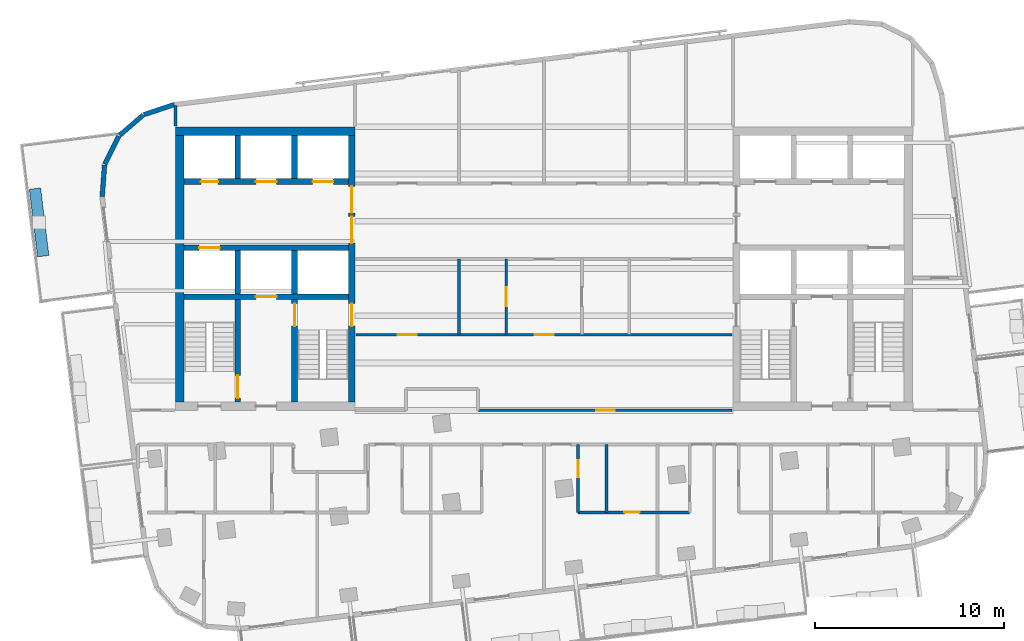
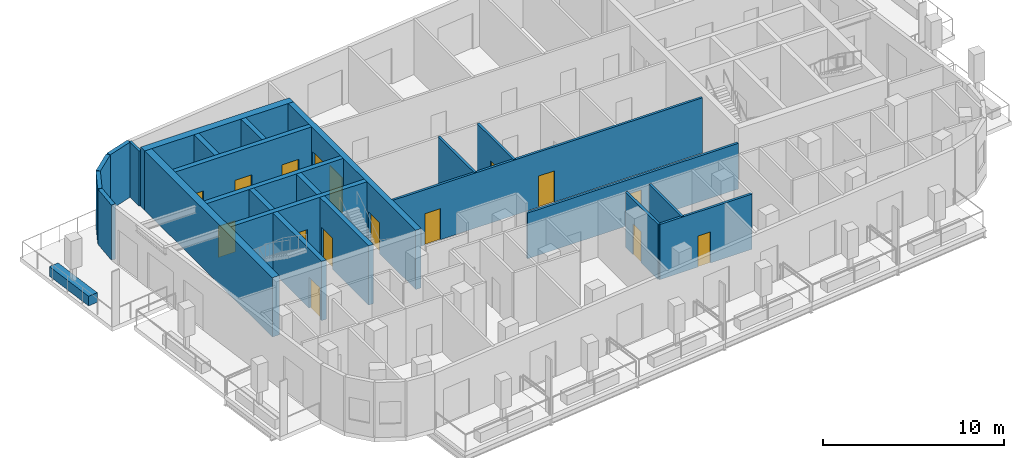
# One storey, part 4 of 11: 25 walls, 16 doors, 16 openings.
"""IFC4 building model written with IfcOpenShell, lengths in metres."""

from ifc_helpers import new_model, si_unit, direction, frame, frame_2d, origin, place, context, subcontext, project, spatial, rectangle, extrude, material, layer, layer_set, type_object, element, fill, save


model = new_model("IFC4")

# Units and contexts
model_context = context("Model", 3, precision=1e-05, world=origin(), true_north=direction((0.0, 1.0)))
body_context = subcontext(model_context, "Body", "Model", "MODEL_VIEW")
ifc_project = project(units=[si_unit("LENGTHUNIT", "METRE"), si_unit("AREAUNIT", "SQUARE_METRE"), si_unit("VOLUMEUNIT", "CUBIC_METRE"), si_unit("PLANEANGLEUNIT", "RADIAN"), si_unit("MASSUNIT", "GRAM", prefix="KILO")], contexts=[model_context])

# Site, building, storey
site_placement = place(None, origin())
site = spatial("IfcSite", under=ifc_project, at=site_placement, CompositionType="ELEMENT")
building_placement = place(site_placement, origin())
building = spatial("IfcBuilding", under=site, at=building_placement, Name="Torana Hotel and Residences", CompositionType="ELEMENT")
storey_placement = place(building_placement, frame((0.0, 0.0, 326.60009765625)))
storey = spatial("IfcBuildingStorey", under=building, at=storey_placement, Name="L86", CompositionType="ELEMENT", Elevation=326.60009765625)

# Wall, openings, doors
ifc_material_1 = material(Name="Concrete C60/75", Category="concrete")
ifc_layer_1 = layer(ifc_material_1, 0.300048828125)
ifc_layer_set_1 = layer_set([ifc_layer_1], Name="CORE WALL 300 C60/75")
wall_type_1 = type_object("IfcWallType", Name="CORE WALL 300 C60/75", PredefinedType="SHEAR", material=ifc_layer_set_1)
wall_1_placement = place(storey_placement, frame((-19.050048828125, -2.89990234375, 0.0), z_axis=(0.0, 0.0, 1.0), x_axis=(1.0, 0.0, 0.0)))
wall_1 = element("IfcWall", 1, at=wall_1_placement, inside=storey, type_object=wall_type_1, Name="Core wall W row-N", PredefinedType="SHEAR", context=body_context, shape_type="SweptSolid", body=[
    extrude(rectangle(XDim=8.699951171875, YDim=0.300048828125, at=frame_2d((4.35009765625, 0.0))), origin(), (0.0, 0.0, 1.0), 4.0),
])
opening_1_placement = place(wall_1_placement, frame((6.800048828125, 0.0, 0.0)))
opening_1 = element("IfcOpeningElement", 2, at=opening_1_placement, cuts=wall_1, Name="Opening LD", PredefinedType="OPENING", context=body_context, shape_type="SweptSolid", body=[
    extrude(rectangle(XDim=1.10009765625, YDim=2.10009765625, at=frame_2d((0.550048828125, 1.050048828125))), frame((0.0, 0.159912109375, 0.0), z_axis=(0.0, -1.0, 0.0), x_axis=(1.0, 0.0, 0.0)), (0.0, 0.0, 1.0), 0.320068359375),
])
opening_2_placement = place(wall_1_placement, frame((3.800048828125, 0.0, 0.0)))
opening_2 = element("IfcOpeningElement", 3, at=opening_2_placement, cuts=wall_1, Name="Opening LD", PredefinedType="OPENING", context=body_context, shape_type="SweptSolid", body=[
    extrude(rectangle(XDim=1.10009765625, YDim=2.10009765625, at=frame_2d((0.550048828125, 1.050048828125))), frame((0.0, 0.159912109375, 0.0), z_axis=(0.0, -1.0, 0.0), x_axis=(1.0, 0.0, 0.0)), (0.0, 0.0, 1.0), 0.320068359375),
])
opening_3_placement = place(wall_1_placement, frame((0.89990234375, 0.0, 0.0)))
opening_3 = element("IfcOpeningElement", 4, at=opening_3_placement, cuts=wall_1, Name="Opening L86-06", PredefinedType="OPENING", context=body_context, shape_type="SweptSolid", body=[
    extrude(rectangle(XDim=0.89990234375, YDim=2.10009765625, at=frame_2d((0.449951171875, 1.050048828125))), frame((0.0, 0.159912109375, 0.0), z_axis=(0.0, -1.0, 0.0), x_axis=(1.0, 0.0, 0.0)), (0.0, 0.0, 1.0), 0.320068359375),
])
ifc_material_2 = material(Name="Stainless steel 316", Category="steel")
door_type_1 = type_object("IfcDoorType", Name="LIFT LANDING DOOR LD 1100x2100", OperationType="DOUBLE_DOOR_SLIDING", PredefinedType="USERDEFINED", material=ifc_material_2)
door_1_placement = place(opening_1_placement, origin())
door_1 = element("IfcDoor", 5, at=door_1_placement, inside=storey, type_object=door_type_1, Name="Lift landing door H1 L86", ObjectType="LIFT LANDING DOOR", OperationType="DOUBLE_DOOR_SLIDING", OverallHeight=2.10009765625, OverallWidth=1.10009765625, PredefinedType="USERDEFINED", context=body_context, shape_type="SweptSolid", body=[
    extrude(rectangle(XDim=1.10009765625, YDim=2.10009765625, at=frame_2d((0.550048828125, 1.050048828125))), frame((0.0, 0.02490234375, 0.0), z_axis=(0.0, -1.0, 0.0), x_axis=(1.0, 0.0, 0.0)), (0.0, 0.0, 1.0), 0.050048828125),
])
fill(opening_1, door_1)
door_2_placement = place(opening_2_placement, origin())
door_2 = element("IfcDoor", 6, at=door_2_placement, inside=storey, type_object=door_type_1, Name="Lift landing door H2 L86", ObjectType="LIFT LANDING DOOR", OperationType="DOUBLE_DOOR_SLIDING", OverallHeight=2.10009765625, OverallWidth=1.10009765625, PredefinedType="USERDEFINED", context=body_context, shape_type="SweptSolid", body=[
    extrude(rectangle(XDim=1.10009765625, YDim=2.10009765625, at=frame_2d((0.550048828125, 1.050048828125))), frame((0.0, 0.02490234375, 0.0), z_axis=(0.0, -1.0, 0.0), x_axis=(1.0, 0.0, 0.0)), (0.0, 0.0, 1.0), 0.050048828125),
])
fill(opening_2, door_2)
ifc_material_3 = material(Name="Steel S235", Category="steel")
door_type_2 = type_object("IfcDoorType", Name="RISER ACCESS DOOR D5 900x2100", OperationType="SINGLE_SWING_LEFT", PredefinedType="DOOR", material=ifc_material_3)
door_3_placement = place(opening_3_placement, origin())
door_3 = element("IfcDoor", 7, at=door_3_placement, inside=storey, type_object=door_type_2, Name="N2 door L86", OperationType="SINGLE_SWING_RIGHT", OverallHeight=2.10009765625, OverallWidth=0.89990234375, PredefinedType="DOOR", context=body_context, shape_type="SweptSolid", body=[
    extrude(rectangle(XDim=0.89990234375, YDim=2.10009765625, at=frame_2d((0.449951171875, 1.050048828125))), frame((0.0, 0.02490234375, 0.0), z_axis=(0.0, -1.0, 0.0), x_axis=(1.0, 0.0, 0.0)), (0.0, 0.0, 1.0), 0.050048828125),
])
fill(opening_3, door_3)

# Wall, opening, door
wall_2_placement = place(storey_placement, frame((-19.050048828125, -6.39990234375, 0.0), z_axis=(0.0, 0.0, 1.0), x_axis=(1.0, 0.0, 0.0)))
wall_2 = element("IfcWall", 8, at=wall_2_placement, inside=storey, type_object=wall_type_1, Name="Core wall W row-S", PredefinedType="SHEAR", context=body_context, shape_type="SweptSolid", body=[
    extrude(rectangle(XDim=8.699951171875, YDim=0.300048828125, at=frame_2d((4.35009765625, 0.0))), origin(), (0.0, 0.0, 1.0), 4.0),
])
opening_4_placement = place(wall_2_placement, frame((0.800048828125, 0.0, 0.0)))
opening_4 = element("IfcOpeningElement", 9, at=opening_4_placement, cuts=wall_2, Name="Opening LD", PredefinedType="OPENING", context=body_context, shape_type="SweptSolid", body=[
    extrude(rectangle(XDim=1.10009765625, YDim=2.10009765625, at=frame_2d((0.550048828125, 1.050048828125))), frame((0.0, 0.159912109375, 0.0), z_axis=(0.0, -1.0, 0.0), x_axis=(1.0, 0.0, 0.0)), (0.0, 0.0, 1.0), 0.320068359375),
])
door_4_placement = place(opening_4_placement, origin())
door_4 = element("IfcDoor", 10, at=door_4_placement, inside=storey, type_object=door_type_1, Name="Lift landing door SV1 L86", ObjectType="LIFT LANDING DOOR", OperationType="DOUBLE_DOOR_SLIDING", OverallHeight=2.10009765625, OverallWidth=1.10009765625, PredefinedType="USERDEFINED", context=body_context, shape_type="SweptSolid", body=[
    extrude(rectangle(XDim=1.10009765625, YDim=2.10009765625, at=frame_2d((0.550048828125, 1.050048828125))), frame((0.0, 0.02490234375, 0.0), z_axis=(0.0, -1.0, 0.0), x_axis=(1.0, 0.0, 0.0)), (0.0, 0.0, 1.0), 0.050048828125),
])
fill(opening_4, door_4)

wall_3_placement = place(storey_placement, frame((-19.050048828125, -9.0, 0.0), z_axis=(0.0, 0.0, 1.0), x_axis=(1.0, 0.0, 0.0)))
wall_3 = element("IfcWall", 11, at=wall_3_placement, inside=storey, type_object=wall_type_1, Name="Core wall W band", PredefinedType="SHEAR", context=body_context, shape_type="SweptSolid", body=[
    extrude(rectangle(XDim=8.699951171875, YDim=0.300048828125, at=frame_2d((4.35009765625, 0.0))), origin(), (0.0, 0.0, 1.0), 4.0),
])
opening_5_placement = place(wall_3_placement, frame((3.800048828125, 0.0, 0.0)))
opening_5 = element("IfcOpeningElement", 12, at=opening_5_placement, cuts=wall_3, Name="Opening LD", PredefinedType="OPENING", context=body_context, shape_type="SweptSolid", body=[
    extrude(rectangle(XDim=1.10009765625, YDim=2.10009765625, at=frame_2d((0.550048828125, 1.050048828125))), frame((0.0, 0.159912109375, 0.0), z_axis=(0.0, -1.0, 0.0), x_axis=(1.0, 0.0, 0.0)), (0.0, 0.0, 1.0), 0.320068359375),
])
door_5_placement = place(opening_5_placement, origin())
door_5 = element("IfcDoor", 13, at=door_5_placement, inside=storey, type_object=door_type_1, Name="Lift landing door FF1 L86", ObjectType="LIFT LANDING DOOR", OperationType="DOUBLE_DOOR_SLIDING", OverallHeight=2.10009765625, OverallWidth=1.10009765625, PredefinedType="USERDEFINED", context=body_context, shape_type="SweptSolid", body=[
    extrude(rectangle(XDim=1.10009765625, YDim=2.10009765625, at=frame_2d((0.550048828125, 1.050048828125))), frame((0.0, 0.02490234375, 0.0), z_axis=(0.0, -1.0, 0.0), x_axis=(1.0, 0.0, 0.0)), (0.0, 0.0, 1.0), 0.050048828125),
])
fill(opening_5, door_5)

# Walls
for number, where, z_axis, x_axis, name in (
    (14, (-13.199951171875, -2.75, 0.0), (0.0, 0.0, 1.0), (0.0, 1.0, 0.0), "Core wall W x3.05-N"),
    (15, (-13.199951171875, -8.85009765625, 0.0), (0.0, 0.0, 1.0), (0.0, 1.0, 0.0), "Core wall W x3.05-S"),
):
    element("IfcWall", number, at=place(storey_placement, frame(where, z_axis=z_axis, x_axis=x_axis)), inside=storey, type_object=wall_type_1, Name=name, PredefinedType="SHEAR", context=body_context, shape_type="SweptSolid", body=[
        extrude(rectangle(XDim=2.300048828125, YDim=0.300048828125, at=frame_2d((1.14990234375, 0.0))), origin(), (0.0, 0.0, 1.0), 4.0),
    ])

# Wall, opening, door
wall_4_placement = place(storey_placement, frame((-13.199951171875, -14.550048828125, 0.0), z_axis=(0.0, 0.0, 1.0), x_axis=(0.0, 1.0, 0.0)))
wall_4 = element("IfcWall", 16, at=wall_4_placement, inside=storey, type_object=wall_type_1, Name="Core wall W x3.05-band", PredefinedType="SHEAR", context=body_context, shape_type="SweptSolid", body=[
    extrude(rectangle(XDim=5.400146484375, YDim=0.300048828125, at=frame_2d((2.7001953125, 0.0))), origin(), (0.0, 0.0, 1.0), 4.0),
])
opening_6_placement = place(wall_4_placement, frame((4.0, 0.0, 0.0)))
opening_6 = element("IfcOpeningElement", 17, at=opening_6_placement, cuts=wall_4, Name="Opening L86-07", PredefinedType="OPENING", context=body_context, shape_type="SweptSolid", body=[
    extrude(rectangle(XDim=1.199951171875, YDim=2.10009765625, at=frame_2d((0.60009765625, 1.050048828125))), frame((0.0, 0.159912109375, 0.0), z_axis=(0.0, -1.0, 0.0), x_axis=(1.0, 0.0, 0.0)), (0.0, 0.0, 1.0), 0.320068359375),
])
ifc_material_4 = material(Name="Steel S235", Category="steel")
door_type_3 = type_object("IfcDoorType", Name="STAIR FIRE DOOR D3 1200x2100", OperationType="SINGLE_SWING_LEFT", PredefinedType="DOOR", material=ifc_material_4)
door_6_placement = place(opening_6_placement, frame((0.60009765625, 0.0, 0.0), z_axis=(0.0, 0.0, 1.0), x_axis=(-1.0, 0.0, 0.0)))
door_6 = element("IfcDoor", 18, at=door_6_placement, inside=storey, type_object=door_type_3, Name="Stair-A-lobby door L86", OperationType="SINGLE_SWING_RIGHT", OverallHeight=2.10009765625, OverallWidth=1.199951171875, PredefinedType="DOOR", context=body_context, shape_type="SweptSolid", body=[
    extrude(rectangle(XDim=1.199951171875, YDim=2.10009765625, at=frame_2d((0.0, 1.050048828125))), frame((0.0, -0.02490234375, 0.0), z_axis=(0.0, 1.0, 0.0), x_axis=(-1.0, 0.0, 0.0)), (0.0, 0.0, 1.0), 0.050048828125),
])
fill(opening_6, door_6)

# Walls
for number, where, z_axis, x_axis, name in (
    (19, (-16.199951171875, -2.75, 0.0), (0.0, 0.0, 1.0), (0.0, 1.0, 0.0), "Core wall W x6.05-N"),
    (20, (-16.199951171875, -8.85009765625, 0.0), (0.0, 0.0, 1.0), (0.0, 1.0, 0.0), "Core wall W x6.05-S"),
):
    element("IfcWall", number, at=place(storey_placement, frame(where, z_axis=z_axis, x_axis=x_axis)), inside=storey, type_object=wall_type_1, Name=name, PredefinedType="SHEAR", context=body_context, shape_type="SweptSolid", body=[
        extrude(rectangle(XDim=2.300048828125, YDim=0.300048828125, at=frame_2d((1.14990234375, 0.0))), origin(), (0.0, 0.0, 1.0), 4.0),
    ])

# Wall, opening, door
wall_5_placement = place(storey_placement, frame((-16.199951171875, -14.550048828125, 0.0), z_axis=(0.0, 0.0, 1.0), x_axis=(0.0, 1.0, 0.0)))
wall_5 = element("IfcWall", 21, at=wall_5_placement, inside=storey, type_object=wall_type_1, Name="Core wall W x6.05-band", PredefinedType="SHEAR", context=body_context, shape_type="SweptSolid", body=[
    extrude(rectangle(XDim=5.400146484375, YDim=0.300048828125, at=frame_2d((2.7001953125, 0.0))), origin(), (0.0, 0.0, 1.0), 4.0),
])
opening_7_placement = place(wall_5_placement, frame((0.199951171875, 0.0, 0.0)))
opening_7 = element("IfcOpeningElement", 22, at=opening_7_placement, cuts=wall_5, Name="Opening L86-08", PredefinedType="OPENING", context=body_context, shape_type="SweptSolid", body=[
    extrude(rectangle(XDim=1.199951171875, YDim=2.10009765625, at=frame_2d((0.60009765625, 1.050048828125))), frame((0.0, 0.159912109375, 0.0), z_axis=(0.0, -1.0, 0.0), x_axis=(1.0, 0.0, 0.0)), (0.0, 0.0, 1.0), 0.320068359375),
])
door_7_placement = place(opening_7_placement, origin())
door_7 = element("IfcDoor", 23, at=door_7_placement, inside=storey, type_object=door_type_3, Name="Stair-B-lobby door L86", OperationType="SINGLE_SWING_RIGHT", OverallHeight=2.10009765625, OverallWidth=1.199951171875, PredefinedType="DOOR", context=body_context, shape_type="SweptSolid", body=[
    extrude(rectangle(XDim=1.199951171875, YDim=2.10009765625, at=frame_2d((0.60009765625, 1.050048828125))), frame((0.0, 0.02490234375, 0.0), z_axis=(0.0, -1.0, 0.0), x_axis=(1.0, 0.0, 0.0)), (0.0, 0.0, 1.0), 0.050048828125),
])
fill(opening_7, door_7)

# Wall, openings, doors
ifc_material_5 = material(Name="Concrete C60/75", Category="concrete")
ifc_layer_2 = layer(ifc_material_5, 0.35009765625)
ifc_layer_set_2 = layer_set([ifc_layer_2], Name="CORE WALL 350 C60/75")
wall_type_2 = type_object("IfcWallType", Name="CORE WALL 350 C60/75", PredefinedType="SHEAR", material=ifc_layer_set_2)
wall_6_placement = place(storey_placement, frame((-10.175048828125, -14.550048828125, 0.0), z_axis=(0.0, 0.0, 1.0), x_axis=(0.0, 1.0, 0.0)))
wall_6 = element("IfcWall", 24, at=wall_6_placement, inside=storey, type_object=wall_type_2, Name="Core wall W arch", PredefinedType="SHEAR", context=body_context, shape_type="SweptSolid", body=[
    extrude(rectangle(XDim=14.10009765625, YDim=0.35009765625, at=frame_2d((7.050048828125, 0.0))), origin(), (0.0, 0.0, 1.0), 4.0),
])
opening_8_placement = place(wall_6_placement, frame((8.39990234375, 0.0, 0.0)))
opening_8 = element("IfcOpeningElement", 25, at=opening_8_placement, cuts=wall_6, Name="Opening L86-01", PredefinedType="OPENING", context=body_context, shape_type="SweptSolid", body=[
    extrude(rectangle(XDim=1.39990234375, YDim=2.39990234375, at=frame_2d((0.699951171875, 1.199951171875))), frame((0.0, 0.18505859375, 0.0), z_axis=(0.0, -1.0, 0.0), x_axis=(1.0, 0.0, 0.0)), (0.0, 0.0, 1.0), 0.3701171875),
])
opening_9_placement = place(wall_6_placement, frame((10.0, 0.0, 0.0)))
opening_9 = element("IfcOpeningElement", 26, at=opening_9_placement, cuts=wall_6, Name="Opening L86-02", PredefinedType="OPENING", context=body_context, shape_type="SweptSolid", body=[
    extrude(rectangle(XDim=1.39990234375, YDim=2.39990234375, at=frame_2d((0.699951171875, 1.199951171875))), frame((0.0, 0.18505859375, 0.0), z_axis=(0.0, -1.0, 0.0), x_axis=(1.0, 0.0, 0.0)), (0.0, 0.0, 1.0), 0.3701171875),
])
opening_10_placement = place(wall_6_placement, frame((4.0, 0.0, 0.0)))
opening_10 = element("IfcOpeningElement", 27, at=opening_10_placement, cuts=wall_6, Name="Opening L86-03", PredefinedType="OPENING", context=body_context, shape_type="SweptSolid", body=[
    extrude(rectangle(XDim=1.199951171875, YDim=2.10009765625, at=frame_2d((0.60009765625, 1.050048828125))), frame((0.0, 0.18505859375, 0.0), z_axis=(0.0, -1.0, 0.0), x_axis=(1.0, 0.0, 0.0)), (0.0, 0.0, 1.0), 0.3701171875),
])
ifc_material_6 = material(Name="Steel S235", Category="steel")
door_type_4 = type_object("IfcDoorType", Name="LOBBY FIRE DOOR D4 1400x2400", OperationType="DOUBLE_DOOR_SINGLE_SWING", PredefinedType="DOOR", material=ifc_material_6)
door_8_placement = place(opening_8_placement, origin())
door_8 = element("IfcDoor", 28, at=door_8_placement, inside=storey, type_object=door_type_4, Name="Lobby-1 door L86", OperationType="DOUBLE_DOOR_SINGLE_SWING", OverallHeight=2.39990234375, OverallWidth=1.39990234375, PredefinedType="DOOR", context=body_context, shape_type="SweptSolid", body=[
    extrude(rectangle(XDim=1.39990234375, YDim=2.39990234375, at=frame_2d((0.699951171875, 1.199951171875))), frame((0.0, 0.02490234375, 0.0), z_axis=(0.0, -1.0, 0.0), x_axis=(1.0, 0.0, 0.0)), (0.0, 0.0, 1.0), 0.050048828125),
])
fill(opening_8, door_8)
door_9_placement = place(opening_9_placement, origin())
door_9 = element("IfcDoor", 29, at=door_9_placement, inside=storey, type_object=door_type_4, Name="Lobby-2 door L86", OperationType="DOUBLE_DOOR_SINGLE_SWING", OverallHeight=2.39990234375, OverallWidth=1.39990234375, PredefinedType="DOOR", context=body_context, shape_type="SweptSolid", body=[
    extrude(rectangle(XDim=1.39990234375, YDim=2.39990234375, at=frame_2d((0.699951171875, 1.199951171875))), frame((0.0, 0.02490234375, 0.0), z_axis=(0.0, -1.0, 0.0), x_axis=(1.0, 0.0, 0.0)), (0.0, 0.0, 1.0), 0.050048828125),
])
fill(opening_9, door_9)
door_10_placement = place(opening_10_placement, origin())
door_10 = element("IfcDoor", 30, at=door_10_placement, inside=storey, type_object=door_type_3, Name="Stair-A door L86", OperationType="SINGLE_SWING_LEFT", OverallHeight=2.10009765625, OverallWidth=1.199951171875, PredefinedType="DOOR", context=body_context, shape_type="SweptSolid", body=[
    extrude(rectangle(XDim=1.199951171875, YDim=2.10009765625, at=frame_2d((0.60009765625, 1.050048828125))), frame((0.0, 0.02490234375, 0.0), z_axis=(0.0, -1.0, 0.0), x_axis=(1.0, 0.0, 0.0)), (0.0, 0.0, 1.0), 0.050048828125),
])
fill(opening_10, door_10)

# Walls
ifc_material_7 = material(Name="Concrete C60/75", Category="concrete")
ifc_layer_3 = layer(ifc_material_7, 0.449951171875)
ifc_layer_set_3 = layer_set([ifc_layer_3], Name="CORE WALL 450 C60/75")
wall_type_3 = type_object("IfcWallType", Name="CORE WALL 450 C60/75", PredefinedType="SHEAR", material=ifc_layer_set_3)
wall_7_placement = place(storey_placement, frame((-19.5, -0.22509765625, 0.0), z_axis=(0.0, 0.0, 1.0), x_axis=(1.0, 0.0, 0.0)))
element("IfcWall", 31, at=wall_7_placement, inside=storey, type_object=wall_type_3, Name="Core wall W rear", PredefinedType="SHEAR", context=body_context, shape_type="SweptSolid", body=[
    extrude(rectangle(XDim=9.5, YDim=0.449951171875, at=frame_2d((4.75, 0.0))), origin(), (0.0, 0.0, 1.0), 4.0),
])
wall_8_placement = place(storey_placement, frame((-19.27490234375, -14.550048828125, 0.0), z_axis=(0.0, 0.0, 1.0), x_axis=(0.0, 1.0, 0.0)))
element("IfcWall", 32, at=wall_8_placement, inside=storey, type_object=wall_type_3, Name="Core wall W outer", PredefinedType="SHEAR", context=body_context, shape_type="SweptSolid", body=[
    extrude(rectangle(XDim=14.10009765625, YDim=0.449951171875, at=frame_2d((7.050048828125, 0.0))), origin(), (0.0, 0.0, 1.0), 4.0),
])
ifc_material_8 = material(Name="Black aluminium composite panel", Category="aluminium")
ifc_layer_4 = layer(ifc_material_8, 0.00390625, Name="Cladding", Category="cladding")
ifc_material_9 = material(Name="Ventilated air cavity")
ifc_layer_5 = layer(ifc_material_9, 0.0400390625, Name="Ventilated cavity", Category="cavity")
ifc_material_10 = material(Name="Mineral wool insulation")
ifc_layer_6 = layer(ifc_material_10, 0.090087890625, Name="Insulation", Category="insulation")
ifc_material_11 = material(Name="Steel S280GD", Category="steel")
ifc_layer_7 = layer(ifc_material_11, 0.092041015625, Name="Steel stud frame", Category="structure")
ifc_material_12 = material(Name="Fire rated plasterboard")
ifc_layer_8 = layer(ifc_material_12, 0.011962890625, Name="Inner board", Category="finish")
ifc_layer_9 = layer(ifc_material_12, 0.011962890625, Name="Second board", Category="finish")
ifc_layer_set_4 = layer_set([ifc_layer_4, ifc_layer_5, ifc_layer_6, ifc_layer_7, ifc_layer_8, ifc_layer_9], Name="EW1 EXTERNAL WALL BLACK METAL CLAD 250")
wall_type_4 = type_object("IfcWallType", Name="EW1 EXTERNAL WALL BLACK METAL CLAD 250", PredefinedType="SOLIDWALL", material=ifc_layer_set_4)
wall_9_placement = place(storey_placement, frame((-19.568359375, 1.1748046875, 0.0), z_axis=(0.0, 0.0, 1.0), x_axis=(-0.949694735798, -0.313177120489, 0.0)))
element("IfcWall", 33, at=wall_9_placement, inside=storey, type_object=wall_type_4, Name="External wall L86 e0.5", PredefinedType="SOLIDWALL", context=body_context, shape_type="SweptSolid", body=[
    extrude(rectangle(XDim=1.681396484375, YDim=0.25, at=frame_2d((0.8408203125, 0.0))), origin(), (0.0, 0.0, 1.0), 3.719970703125),
])
wall_10_placement = place(storey_placement, frame((-21.207763671875, 0.624267578125, 0.0), z_axis=(0.0, 0.0, 1.0), x_axis=(-0.757568315466, -0.652755886531, 0.0)))
element("IfcWall", 34, at=wall_10_placement, inside=storey, type_object=wall_type_4, Name="External wall L86 e0.6", PredefinedType="SOLIDWALL", context=body_context, shape_type="SweptSolid", body=[
    extrude(rectangle(XDim=1.65625, YDim=0.25, at=frame_2d((0.828125, 0.0))), origin(), (0.0, 0.0, 1.0), 3.719970703125),
])
wall_11_placement = place(storey_placement, frame((-22.49267578125, -0.495361328125, 0.0), z_axis=(0.0, 0.0, 1.0), x_axis=(-0.449982385812, -0.893037430604, 0.0)))
element("IfcWall", 35, at=wall_11_placement, inside=storey, type_object=wall_type_4, Name="External wall L86 e0.7", PredefinedType="SOLIDWALL", context=body_context, shape_type="SweptSolid", body=[
    extrude(rectangle(XDim=1.656494140625, YDim=0.25, at=frame_2d((0.828125, 0.0))), origin(), (0.0, 0.0, 1.0), 3.719970703125),
])
wall_12_placement = place(storey_placement, frame((-23.251220703125, -2.021484375, 0.0), z_axis=(0.0, 0.0, 1.0), x_axis=(-0.074053534713, -0.997254267475, 0.0)))
element("IfcWall", 36, at=wall_12_placement, inside=storey, type_object=wall_type_4, Name="External wall L86 e0.8", PredefinedType="SOLIDWALL", context=body_context, shape_type="SweptSolid", body=[
    extrude(rectangle(XDim=1.681396484375, YDim=0.25, at=frame_2d((0.8408203125, 0.0))), origin(), (0.0, 0.0, 1.0), 3.719970703125),
])

# Wall, opening, door
ifc_material_13 = material(Name="Gypsum plaster")
ifc_layer_10 = layer(ifc_material_13, 0.014892578125, Name="Plaster", Category="finish")
ifc_material_14 = material(Name="Concrete blockwork", Category="masonry")
ifc_layer_11 = layer(ifc_material_14, 0.1201171875, Name="Blockwork", Category="structure")
ifc_layer_12 = layer(ifc_material_13, 0.014892578125, Name="Plaster", Category="finish")
ifc_layer_set_5 = layer_set([ifc_layer_10, ifc_layer_11, ifc_layer_12], Name="FIRE PARTITION 150 BLOCKWORK")
wall_type_5 = type_object("IfcWallType", Name="FIRE PARTITION 150 BLOCKWORK", PredefinedType="PARTITIONING", material=ifc_layer_set_5)
wall_13_placement = place(storey_placement, frame((-2.0, -11.0, 0.0), z_axis=(0.0, 0.0, 1.0), x_axis=(0.0, 1.0, 0.0)))
wall_13 = element("IfcWall", 37, at=wall_13_placement, inside=storey, type_object=wall_type_5, Name="Partition L86", PredefinedType="PARTITIONING", context=body_context, shape_type="SweptSolid", body=[
    extrude(rectangle(XDim=4.0, YDim=0.14990234375, at=frame_2d((2.0, 0.0))), origin(), (0.0, 0.0, 1.0), 3.719970703125),
])
opening_11_placement = place(wall_13_placement, frame((1.5, 0.0, 0.0)))
opening_11 = element("IfcOpeningElement", 38, at=opening_11_placement, cuts=wall_13, Name="Opening L86-36", PredefinedType="OPENING", context=body_context, shape_type="SweptSolid", body=[
    extrude(rectangle(XDim=1.0, YDim=2.10009765625, at=frame_2d((0.5, 1.050048828125))), frame((0.0, 0.0849609375, 0.0), z_axis=(0.0, -1.0, 0.0), x_axis=(1.0, 0.0, 0.0)), (0.0, 0.0, 1.0), 0.169921875),
])
ifc_material_15 = material(Name="Steel S235", Category="steel")
door_type_5 = type_object("IfcDoorType", Name="ENTRY FIRE DOOR D6 1000x2100", OperationType="SINGLE_SWING_LEFT", PredefinedType="DOOR", material=ifc_material_15)
door_11_placement = place(opening_11_placement, origin())
door_11 = element("IfcDoor", 39, at=door_11_placement, inside=storey, type_object=door_type_5, Name="Door L86", OperationType="SINGLE_SWING_RIGHT", OverallHeight=2.10009765625, OverallWidth=1.0, PredefinedType="DOOR", context=body_context, shape_type="SweptSolid", body=[
    extrude(rectangle(XDim=1.0, YDim=2.10009765625, at=frame_2d((0.5, 1.050048828125))), frame((0.0, 0.02490234375, 0.0), z_axis=(0.0, -1.0, 0.0), x_axis=(1.0, 0.0, 0.0)), (0.0, 0.0, 1.0), 0.050048828125),
])
fill(opening_11, door_11)

wall_14_placement = place(storey_placement, frame((-3.506103515625, -15.0, 0.0), z_axis=(0.0, 0.0, 1.0), x_axis=(1.0, 0.0, 0.0)))
wall_14 = element("IfcWall", 40, at=wall_14_placement, inside=storey, type_object=wall_type_5, Name="Partition L86", PredefinedType="PARTITIONING", context=body_context, shape_type="SweptSolid", body=[
    extrude(rectangle(XDim=13.4560546875, YDim=0.14990234375, at=frame_2d((6.72802734375, 0.0))), origin(), (0.0, 0.0, 1.0), 3.083984375),
])
opening_12_placement = place(wall_14_placement, frame((6.2529296875, 0.0, 0.0)))
opening_12 = element("IfcOpeningElement", 41, at=opening_12_placement, cuts=wall_14, Name="Opening L86-17", PredefinedType="OPENING", context=body_context, shape_type="SweptSolid", body=[
    extrude(rectangle(XDim=1.0, YDim=2.10009765625, at=frame_2d((0.5, 1.050048828125))), frame((0.0, 0.0849609375, 0.0), z_axis=(0.0, -1.0, 0.0), x_axis=(1.0, 0.0, 0.0)), (0.0, 0.0, 1.0), 0.169921875),
])
door_12_placement = place(opening_12_placement, origin())
door_12 = element("IfcDoor", 42, at=door_12_placement, inside=storey, type_object=door_type_5, Name="Door L86", OperationType="SINGLE_SWING_RIGHT", OverallHeight=2.10009765625, OverallWidth=1.0, PredefinedType="DOOR", context=body_context, shape_type="SweptSolid", body=[
    extrude(rectangle(XDim=1.0, YDim=2.10009765625, at=frame_2d((0.5, 1.050048828125))), frame((0.0, 0.02490234375, 0.0), z_axis=(0.0, -1.0, 0.0), x_axis=(1.0, 0.0, 0.0)), (0.0, 0.0, 1.0), 0.050048828125),
])
fill(opening_12, door_12)

# Wall, openings, doors
wall_15_placement = place(storey_placement, frame((-9.949951171875, -11.0, 0.0), z_axis=(0.0, 0.0, 1.0), x_axis=(1.0, 0.0, 0.0)))
wall_15 = element("IfcWall", 43, at=wall_15_placement, inside=storey, type_object=wall_type_5, Name="Partition L86", PredefinedType="PARTITIONING", context=body_context, shape_type="SweptSolid", body=[
    extrude(rectangle(XDim=19.89990234375, YDim=0.14990234375, at=frame_2d((9.949951171875, 0.0))), origin(), (0.0, 0.0, 1.0), 3.719970703125),
])
opening_13_placement = place(wall_15_placement, frame((9.449951171875, 0.0, 0.0)))
opening_13 = element("IfcOpeningElement", 44, at=opening_13_placement, cuts=wall_15, Name="Opening L86-27", PredefinedType="OPENING", context=body_context, shape_type="SweptSolid", body=[
    extrude(rectangle(XDim=1.0, YDim=2.10009765625, at=frame_2d((0.5, 1.050048828125))), frame((0.0, 0.0849609375, 0.0), z_axis=(0.0, -1.0, 0.0), x_axis=(1.0, 0.0, 0.0)), (0.0, 0.0, 1.0), 0.169921875),
])
opening_14_placement = place(wall_15_placement, frame((2.199951171875, 0.0, 0.0)))
opening_14 = element("IfcOpeningElement", 45, at=opening_14_placement, cuts=wall_15, Name="Opening L86-28", PredefinedType="OPENING", context=body_context, shape_type="SweptSolid", body=[
    extrude(rectangle(XDim=1.0, YDim=2.10009765625, at=frame_2d((0.5, 1.050048828125))), frame((0.0, 0.0849609375, 0.0), z_axis=(0.0, -1.0, 0.0), x_axis=(1.0, 0.0, 0.0)), (0.0, 0.0, 1.0), 0.169921875),
])
door_13_placement = place(opening_13_placement, origin())
door_13 = element("IfcDoor", 46, at=door_13_placement, inside=storey, type_object=door_type_5, Name="Door L86", OperationType="SINGLE_SWING_RIGHT", OverallHeight=2.10009765625, OverallWidth=1.0, PredefinedType="DOOR", context=body_context, shape_type="SweptSolid", body=[
    extrude(rectangle(XDim=1.0, YDim=2.10009765625, at=frame_2d((0.5, 1.050048828125))), frame((0.0, 0.02490234375, 0.0), z_axis=(0.0, -1.0, 0.0), x_axis=(1.0, 0.0, 0.0)), (0.0, 0.0, 1.0), 0.050048828125),
])
fill(opening_13, door_13)
door_14_placement = place(opening_14_placement, origin())
door_14 = element("IfcDoor", 47, at=door_14_placement, inside=storey, type_object=door_type_5, Name="Door L86", OperationType="SINGLE_SWING_RIGHT", OverallHeight=2.10009765625, OverallWidth=1.0, PredefinedType="DOOR", context=body_context, shape_type="SweptSolid", body=[
    extrude(rectangle(XDim=1.0, YDim=2.10009765625, at=frame_2d((0.5, 1.050048828125))), frame((0.0, 0.02490234375, 0.0), z_axis=(0.0, -1.0, 0.0), x_axis=(1.0, 0.0, 0.0)), (0.0, 0.0, 1.0), 0.050048828125),
])
fill(opening_14, door_14)

# Wall
ifc_material_16 = material(Name="Gypsum plasterboard")
ifc_layer_13 = layer(ifc_material_16, 0.012451171875, Name="Plasterboard", Category="finish")
ifc_layer_14 = layer(ifc_material_16, 0.012451171875, Name="Plasterboard", Category="finish")
ifc_layer_15 = layer(ifc_material_11, 0.10009765625, Name="Steel studs with mineral wool", Category="insulation")
ifc_layer_16 = layer(ifc_material_16, 0.012451171875, Name="Plasterboard", Category="finish")
ifc_layer_17 = layer(ifc_material_16, 0.012451171875, Name="Plasterboard", Category="finish")
ifc_layer_set_6 = layer_set([ifc_layer_13, ifc_layer_14, ifc_layer_15, ifc_layer_16, ifc_layer_17], Name="PARTITION 150 PLASTERBOARD")
wall_type_6 = type_object("IfcWallType", Name="PARTITION 150 PLASTERBOARD", PredefinedType="PARTITIONING", material=ifc_layer_set_6)
wall_16_placement = place(storey_placement, frame((3.300048828125, -20.39990234375, 0.0), z_axis=(0.0, 0.0, 1.0), x_axis=(0.0, 1.0, 0.0)))
element("IfcWall", 48, at=wall_16_placement, inside=storey, type_object=wall_type_6, Name="Partition L86", PredefinedType="PARTITIONING", context=body_context, shape_type="SweptSolid", body=[
    extrude(rectangle(XDim=3.599853515625, YDim=0.14990234375, at=frame_2d((1.7998046875, 0.0))), origin(), (0.0, 0.0, 1.0), 3.719970703125),
])

# Wall, opening, door
wall_17_placement = place(storey_placement, frame((1.800048828125, -20.39990234375, 0.0), z_axis=(0.0, 0.0, 1.0), x_axis=(0.0, 1.0, 0.0)))
wall_17 = element("IfcWall", 49, at=wall_17_placement, inside=storey, type_object=wall_type_6, Name="Partition L86", PredefinedType="PARTITIONING", context=body_context, shape_type="SweptSolid", body=[
    extrude(rectangle(XDim=3.599853515625, YDim=0.14990234375, at=frame_2d((1.7998046875, 0.0))), origin(), (0.0, 0.0, 1.0), 3.719970703125),
])
opening_15_placement = place(wall_17_placement, frame((1.866455078125, 0.0, 0.0)))
opening_15 = element("IfcOpeningElement", 50, at=opening_15_placement, cuts=wall_17, Name="Opening L86-41", PredefinedType="OPENING", context=body_context, shape_type="SweptSolid", body=[
    extrude(rectangle(XDim=0.89990234375, YDim=2.10009765625, at=frame_2d((0.449951171875, 1.050048828125))), frame((0.0, 0.0849609375, 0.0), z_axis=(0.0, -1.0, 0.0), x_axis=(1.0, 0.0, 0.0)), (0.0, 0.0, 1.0), 0.169921875),
])
ifc_material_17 = material(Name="Timber door, oiled ash", Category="wood")
door_type_6 = type_object("IfcDoorType", Name="ROOM DOOR D7 900x2100", OperationType="SINGLE_SWING_LEFT", PredefinedType="DOOR", material=ifc_material_17)
door_15_placement = place(opening_15_placement, origin())
door_15 = element("IfcDoor", 51, at=door_15_placement, inside=storey, type_object=door_type_6, Name="Door L86", OperationType="SINGLE_SWING_RIGHT", OverallHeight=2.10009765625, OverallWidth=0.89990234375, PredefinedType="DOOR", context=body_context, shape_type="SweptSolid", body=[
    extrude(rectangle(XDim=0.89990234375, YDim=2.10009765625, at=frame_2d((0.449951171875, 1.050048828125))), frame((0.0, 0.02490234375, 0.0), z_axis=(0.0, -1.0, 0.0), x_axis=(1.0, 0.0, 0.0)), (0.0, 0.0, 1.0), 0.050048828125),
])
fill(opening_15, door_15)

# Walls
wall_18_placement = place(storey_placement, frame((-4.5, -11.0, 0.0), z_axis=(0.0, 0.0, 1.0), x_axis=(0.0, 1.0, 0.0)))
element("IfcWall", 52, at=wall_18_placement, inside=storey, type_object=wall_type_6, Name="Partition L86", PredefinedType="PARTITIONING", context=body_context, shape_type="SweptSolid", body=[
    extrude(rectangle(XDim=4.0, YDim=0.14990234375, at=frame_2d((2.0, 0.0))), origin(), (0.0, 0.0, 1.0), 3.719970703125),
])
wall_19_placement = place(storey_placement, frame((-19.5, 0.050048828125, 0.0), z_axis=(0.0, 0.0, 1.0), x_axis=(0.0, 1.0, 0.0)))
element("IfcWall", 53, at=wall_19_placement, inside=storey, type_object=wall_type_6, Name="Partition L86", PredefinedType="PARTITIONING", context=body_context, shape_type="SweptSolid", body=[
    extrude(rectangle(XDim=1.080322265625, YDim=0.14990234375, at=frame_2d((0.5400390625, 0.0))), origin(), (0.0, 0.0, 1.0), 3.719970703125),
])

# Wall, opening, door
wall_20_placement = place(storey_placement, frame((1.800048828125, -20.39990234375, 0.0), z_axis=(0.0, 0.0, 1.0), x_axis=(1.0, 0.0, 0.0)))
wall_20 = element("IfcWall", 54, at=wall_20_placement, inside=storey, type_object=wall_type_6, Name="Partition L86", PredefinedType="PARTITIONING", context=body_context, shape_type="SweptSolid", body=[
    extrude(rectangle(XDim=5.89990234375, YDim=0.14990234375, at=frame_2d((2.949951171875, 0.0))), origin(), (0.0, 0.0, 1.0), 3.719970703125),
])
opening_16_placement = place(wall_20_placement, frame((2.449951171875, 0.0, 0.0)))
opening_16 = element("IfcOpeningElement", 55, at=opening_16_placement, cuts=wall_20, Name="Opening L86-42", PredefinedType="OPENING", context=body_context, shape_type="SweptSolid", body=[
    extrude(rectangle(XDim=0.800048828125, YDim=2.10009765625, at=frame_2d((0.39990234375, 1.050048828125))), frame((0.0, 0.0849609375, 0.0), z_axis=(0.0, -1.0, 0.0), x_axis=(1.0, 0.0, 0.0)), (0.0, 0.0, 1.0), 0.169921875),
])
ifc_material_18 = material(Name="Timber door, painted", Category="wood")
door_type_7 = type_object("IfcDoorType", Name="BATH DOOR D13 800x2100", OperationType="SINGLE_SWING_LEFT", PredefinedType="DOOR", material=ifc_material_18)
door_16_placement = place(opening_16_placement, origin())
door_16 = element("IfcDoor", 56, at=door_16_placement, inside=storey, type_object=door_type_7, Name="Door L86", OperationType="SINGLE_SWING_RIGHT", OverallHeight=2.10009765625, OverallWidth=0.800048828125, PredefinedType="DOOR", context=body_context, shape_type="SweptSolid", body=[
    extrude(rectangle(XDim=0.800048828125, YDim=2.10009765625, at=frame_2d((0.39990234375, 1.050048828125))), frame((0.0, 0.02490234375, 0.0), z_axis=(0.0, -1.0, 0.0), x_axis=(1.0, 0.0, 0.0)), (0.0, 0.0, 1.0), 0.050048828125),
])
fill(opening_16, door_16)

# Wall
ifc_material_19 = material(Name="Concrete C40/50 precast", Category="concrete")
ifc_layer_18 = layer(ifc_material_19, 0.10009765625, Name="Planter shell", Category="structure")
ifc_material_20 = material(Name="Root resistant membrane")
ifc_layer_19 = layer(ifc_material_20, 0.00390625, Name="Waterproofing membrane", Category="membrane")
ifc_material_21 = material(Name="Drainage board with filter fleece")
ifc_layer_20 = layer(ifc_material_21, 0.02001953125, Name="Drainage board", Category="drainage")
ifc_material_22 = material(Name="Growing medium")
ifc_layer_21 = layer(ifc_material_22, 0.47607421875, Name="Planting substrate", Category="soil")
ifc_layer_set_7 = layer_set([ifc_layer_18, ifc_layer_19, ifc_layer_20, ifc_layer_21], Name="PL1 BALCONY PLANTER 600")
wall_type_7 = type_object("IfcWallType", Name="PL1 BALCONY PLANTER 600", PredefinedType="USERDEFINED", material=ifc_layer_set_7)
wall_21_placement = place(storey_placement, frame((-26.492919921875, -6.8447265625, 0.0), z_axis=(0.0, 0.0, 1.0), x_axis=(-0.121872547154, 0.992545758265, 0.0)))
element("IfcWall", 57, at=wall_21_placement, inside=storey, type_object=wall_type_7, Name="Planter 09", ObjectType="PLANTER", PredefinedType="USERDEFINED", context=body_context, shape_type="SweptSolid", body=[
    extrude(rectangle(XDim=3.599853515625, YDim=0.60009765625, at=frame_2d((1.7998046875, 0.0))), origin(), (0.0, 0.0, 1.0), 0.64990234375),
])

save(model, "model.ifc")
